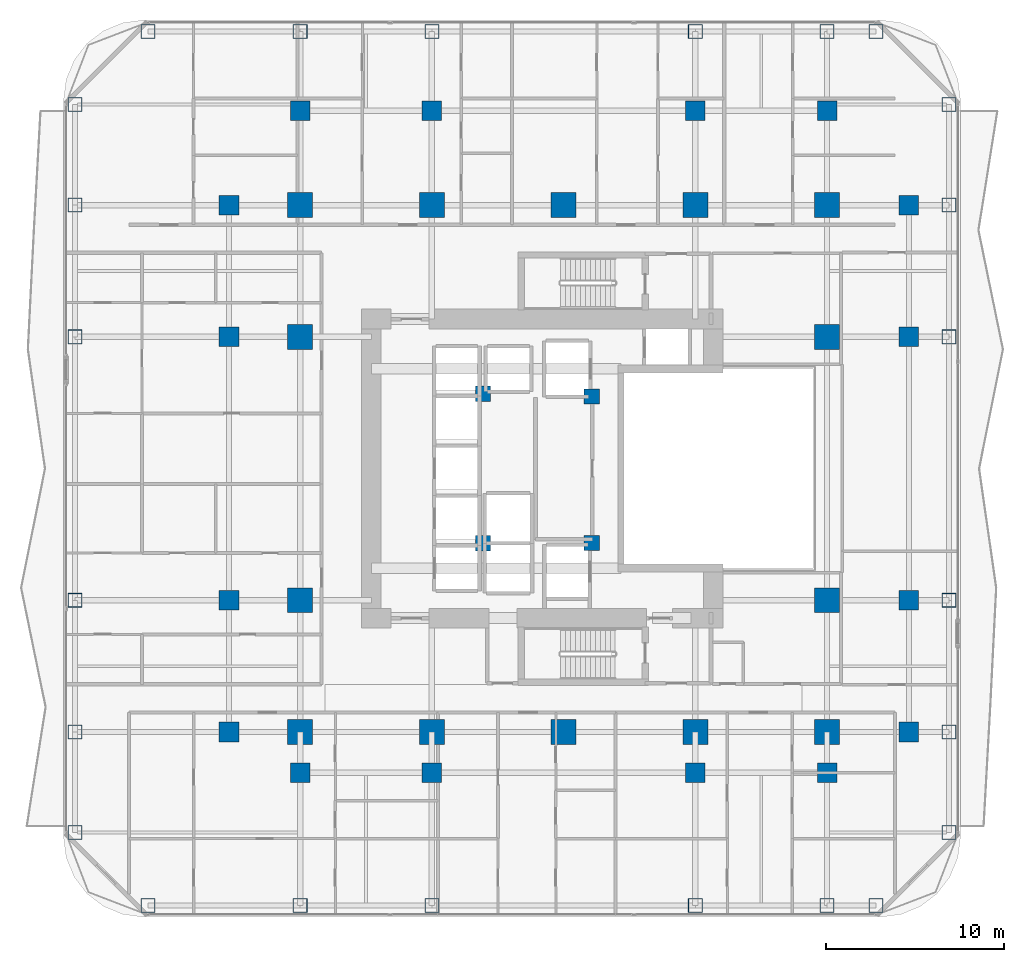
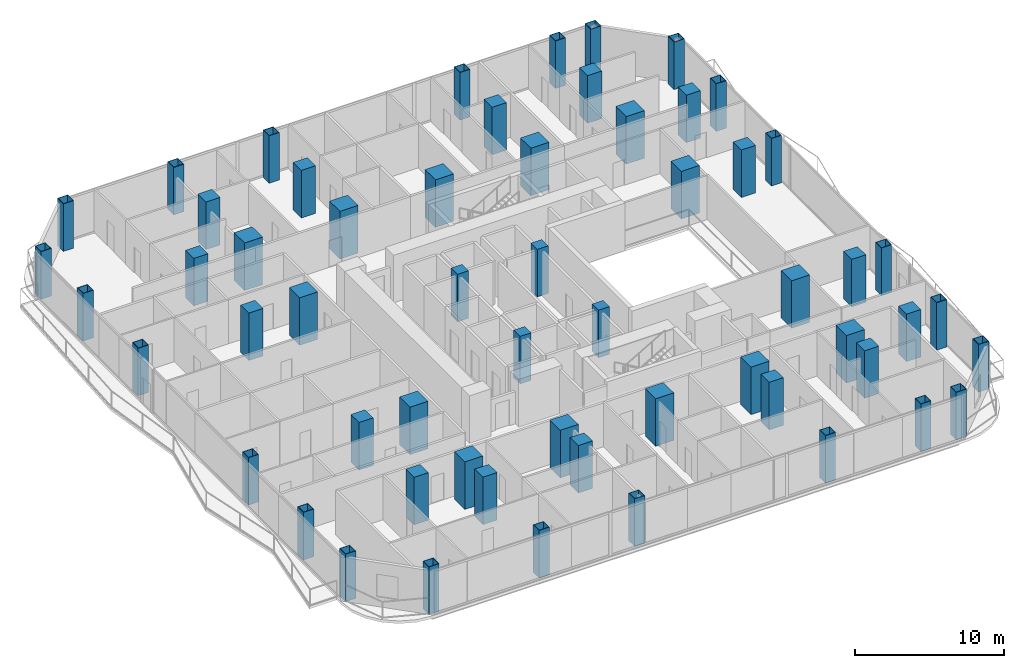
# One storey, part 1 of 29: 58 columns.
"""IFC4 building model written with IfcOpenShell, lengths in metres."""

from ifc_helpers import new_model, si_unit, direction, frame, origin, origin_2d, place, context, subcontext, project, spatial, rectangle, hollow_rectangle, extrude, material, material_profile, profile_set, type_object, element, save


model = new_model("IFC4")

# Units and contexts
model_context = context("Model", 3, precision=1e-05, world=origin(), true_north=direction((0.0, 1.0)))
body_context = subcontext(model_context, "Body", "Model", "MODEL_VIEW")
ifc_project = project(units=[si_unit("LENGTHUNIT", "METRE"), si_unit("AREAUNIT", "SQUARE_METRE"), si_unit("VOLUMEUNIT", "CUBIC_METRE"), si_unit("PLANEANGLEUNIT", "RADIAN"), si_unit("MASSUNIT", "GRAM", prefix="KILO")], contexts=[model_context])

# Site, building, storey
site_placement = place(None, origin())
site = spatial("IfcSite", under=ifc_project, at=site_placement, CompositionType="ELEMENT")
building_placement = place(site_placement, origin())
building = spatial("IfcBuilding", under=site, at=building_placement, Name="Khorvyn Point Tower", CompositionType="ELEMENT")
storey_placement = place(building_placement, frame((0.0, 0.0, 73.5)))
storey = spatial("IfcBuildingStorey", under=building, at=storey_placement, Name="L19", CompositionType="ELEMENT", Elevation=73.5)

# Columns
ifc_material_1 = material(Name="Concrete C40/50", Category="concrete")
ifc_material_profile_1 = material_profile(ifc_material_1, rectangle(XDim=0.85009765625, YDim=0.85009765625, at=origin_2d()))
ifc_profile_set_1 = profile_set([ifc_material_profile_1], Name="Concrete C40/50 RC850x850")
column_type_1 = type_object("IfcColumnType", Name="Concrete C40/50 Column RC850x850", PredefinedType="COLUMN", material=ifc_profile_set_1)
for number, where, z_axis, x_axis, name in (
    (1, (-4.52001953125, -4.199951171875, 0.0), (0.0, 0.0, 1.0), (1.0, 0.0, 0.0), "L19 Crown Core Spine Column 1"),
    (2, (1.580078125, -4.179931640625, 0.0), (0.0, 0.0, 1.0), (1.0, 0.0, 0.0), "L19 Crown Core Spine Column 2"),
    (3, (1.580078125, 4.050048828125, 0.0), (0.0, 0.0, 1.0), (1.0, 0.0, 0.0), "L19 Crown Core Spine Column 3"),
    (4, (-4.52001953125, 4.199951171875, 0.0), (0.0, 0.0, 1.0), (1.0, 0.0, 0.0), "L19 Crown Core Spine Column 4"),
):
    element("IfcColumn", number, at=place(storey_placement, frame(where, z_axis=z_axis, x_axis=x_axis)), inside=storey, type_object=column_type_1, Name=name, PredefinedType="COLUMN", context=body_context, shape_type="SweptSolid", body=[
        extrude(rectangle(XDim=0.85009765625, YDim=0.85009765625, at=origin_2d()), origin(), (0.0, 0.0, 1.0), 3.89990234375),
    ])
ifc_material_2 = material(Name="Concrete C45/55", Category="concrete")
ifc_material_profile_2 = material_profile(ifc_material_2, rectangle(XDim=1.10009765625, YDim=1.10009765625, at=origin_2d()))
ifc_profile_set_2 = profile_set([ifc_material_profile_2], Name="Concrete C45/55 RC1100x1100")
column_type_2 = type_object("IfcColumnType", Name="Concrete C45/55 Column RC1100x1100", PredefinedType="COLUMN", material=ifc_profile_set_2)
for number, where, z_axis, x_axis, name in (
    (5, (-18.800048828125, -14.800048828125, 0.0), (0.0, 0.0, 1.0), (1.0, 0.0, 0.0), "L19 Intermediate Column ICW--14"),
    (6, (-18.800048828125, -7.39990234375, 0.0), (0.0, 0.0, 1.0), (1.0, 0.0, 0.0), "L19 Intermediate Column ICW--7"),
    (7, (-18.800048828125, 7.39990234375, 0.0), (0.0, 0.0, 1.0), (1.0, 0.0, 0.0), "L19 Intermediate Column ICW-7"),
    (8, (-18.800048828125, 14.800048828125, 0.0), (0.0, 0.0, 1.0), (1.0, 0.0, 0.0), "L19 Intermediate Column ICW-14"),
    (9, (19.39990234375, -14.800048828125, 0.0), (0.0, 0.0, 1.0), (1.0, 0.0, 0.0), "L19 Intermediate Column ICE--14"),
    (10, (19.39990234375, -7.39990234375, 0.0), (0.0, 0.0, 1.0), (1.0, 0.0, 0.0), "L19 Intermediate Column ICE--7"),
    (11, (19.39990234375, 7.39990234375, 0.0), (0.0, 0.0, 1.0), (1.0, 0.0, 0.0), "L19 Intermediate Column ICE-7"),
    (12, (19.39990234375, 14.800048828125, 0.0), (0.0, 0.0, 1.0), (1.0, 0.0, 0.0), "L19 Intermediate Column ICE-14"),
    (13, (-14.800048828125, -17.10009765625, 0.0), (0.0, 0.0, 1.0), (1.0, 0.0, 0.0), "L19 Intermediate Column ICS--14"),
    (14, (-7.39990234375, -17.10009765625, 0.0), (0.0, 0.0, 1.0), (1.0, 0.0, 0.0), "L19 Intermediate Column ICS--7"),
    (15, (7.39990234375, -17.10009765625, 0.0), (0.0, 0.0, 1.0), (1.0, 0.0, 0.0), "L19 Intermediate Column ICS-7"),
    (16, (14.800048828125, -17.10009765625, 0.0), (0.0, 0.0, 1.0), (1.0, 0.0, 0.0), "L19 Intermediate Column ICS-14"),
    (17, (-14.800048828125, 20.10009765625, 0.0), (0.0, 0.0, 1.0), (1.0, 0.0, 0.0), "L19 Intermediate Column ICN--14"),
    (18, (-7.39990234375, 20.10009765625, 0.0), (0.0, 0.0, 1.0), (1.0, 0.0, 0.0), "L19 Intermediate Column ICN--7"),
    (19, (7.39990234375, 20.10009765625, 0.0), (0.0, 0.0, 1.0), (1.0, 0.0, 0.0), "L19 Intermediate Column ICN-7"),
    (20, (14.800048828125, 20.10009765625, 0.0), (0.0, 0.0, 1.0), (1.0, 0.0, 0.0), "L19 Intermediate Column ICN-14"),
):
    element("IfcColumn", number, at=place(storey_placement, frame(where, z_axis=z_axis, x_axis=x_axis)), inside=storey, type_object=column_type_2, Name=name, PredefinedType="COLUMN", context=body_context, shape_type="SweptSolid", body=[
        extrude(rectangle(XDim=1.10009765625, YDim=1.10009765625, at=origin_2d()), origin(), (0.0, 0.0, 1.0), 3.89990234375),
    ])
ifc_material_3 = material(Name="Concrete C50/60", Category="concrete")
ifc_material_profile_3 = material_profile(ifc_material_3, rectangle(XDim=1.39990234375, YDim=1.39990234375, at=origin_2d()))
ifc_profile_set_3 = profile_set([ifc_material_profile_3], Name="Concrete C50/60 RC1400x1400")
column_type_3 = type_object("IfcColumnType", Name="Concrete C50/60 Column RC1400x1400", PredefinedType="COLUMN", material=ifc_profile_set_3)
for number, where, z_axis, x_axis, name in (
    (21, (-14.800048828125, -14.800048828125, 0.0), (0.0, 0.0, 1.0), (1.0, 0.0, 0.0), "L19 Mega-Column MC-01"),
    (22, (-7.39990234375, -14.800048828125, 0.0), (0.0, 0.0, 1.0), (1.0, 0.0, 0.0), "L19 Mega-Column MC-02"),
    (23, (0.0, -14.800048828125, 0.0), (0.0, 0.0, 1.0), (1.0, 0.0, 0.0), "L19 Mega-Column MC-03"),
    (24, (7.39990234375, -14.800048828125, 0.0), (0.0, 0.0, 1.0), (1.0, 0.0, 0.0), "L19 Mega-Column MC-04"),
    (25, (14.800048828125, -14.800048828125, 0.0), (0.0, 0.0, 1.0), (1.0, 0.0, 0.0), "L19 Mega-Column MC-05"),
    (26, (-14.800048828125, 14.800048828125, 0.0), (0.0, 0.0, 1.0), (1.0, 0.0, 0.0), "L19 Mega-Column MC-06"),
    (27, (-7.39990234375, 14.800048828125, 0.0), (0.0, 0.0, 1.0), (1.0, 0.0, 0.0), "L19 Mega-Column MC-07"),
    (28, (0.0, 14.800048828125, 0.0), (0.0, 0.0, 1.0), (1.0, 0.0, 0.0), "L19 Mega-Column MC-08"),
    (29, (7.39990234375, 14.800048828125, 0.0), (0.0, 0.0, 1.0), (1.0, 0.0, 0.0), "L19 Mega-Column MC-09"),
    (30, (14.800048828125, 14.800048828125, 0.0), (0.0, 0.0, 1.0), (1.0, 0.0, 0.0), "L19 Mega-Column MC-10"),
    (31, (-14.800048828125, -7.39990234375, 0.0), (0.0, 0.0, 1.0), (1.0, 0.0, 0.0), "L19 Mega-Column MC-11"),
    (32, (-14.800048828125, 7.39990234375, 0.0), (0.0, 0.0, 1.0), (1.0, 0.0, 0.0), "L19 Mega-Column MC-12"),
    (33, (14.800048828125, -7.39990234375, 0.0), (0.0, 0.0, 1.0), (1.0, 0.0, 0.0), "L19 Mega-Column MC-13"),
    (34, (14.800048828125, 7.39990234375, 0.0), (0.0, 0.0, 1.0), (1.0, 0.0, 0.0), "L19 Mega-Column MC-14"),
):
    element("IfcColumn", number, at=place(storey_placement, frame(where, z_axis=z_axis, x_axis=x_axis)), inside=storey, type_object=column_type_3, Name=name, PredefinedType="COLUMN", context=body_context, shape_type="SweptSolid", body=[
        extrude(rectangle(XDim=1.39990234375, YDim=1.39990234375, at=origin_2d()), origin(), (0.0, 0.0, 1.0), 3.89990234375),
    ])
ifc_material_4 = material(Name="Steel S450", Category="steel")
ifc_material_profile_4 = material_profile(ifc_material_4, hollow_rectangle(XDim=0.800048828125, YDim=0.800048828125, WallThickness=0.035888671875, at=origin_2d()))
ifc_profile_set_4 = profile_set([ifc_material_profile_4], Name="Steel S450 BOX800x800x36")
column_type_4 = type_object("IfcColumnType", Name="Steel S450 Structural Column BOX800x800x36", PredefinedType="COLUMN", material=ifc_profile_set_4)
for number, where, z_axis, x_axis, name in (
    (35, (-23.35009765625, -24.550048828125, 0.0), (0.0, 0.0, 1.0), (1.0, 0.0, 0.0), "L19 Perimeter Tube Column TC-01"),
    (36, (17.550048828125, -24.550048828125, 0.0), (0.0, 0.0, 1.0), (1.0, 0.0, 0.0), "L19 Perimeter Tube Column TC-02"),
    (37, (-23.35009765625, 24.550048828125, 0.0), (0.0, 0.0, 1.0), (1.0, 0.0, 0.0), "L19 Perimeter Tube Column TC-03"),
    (38, (17.550048828125, 24.550048828125, 0.0), (0.0, 0.0, 1.0), (1.0, 0.0, 0.0), "L19 Perimeter Tube Column TC-04"),
    (39, (-27.449951171875, -20.449951171875, 0.0), (0.0, 0.0, 1.0), (1.0, 0.0, 0.0), "L19 Perimeter Tube Column TC-05"),
    (40, (-27.449951171875, 20.449951171875, 0.0), (0.0, 0.0, 1.0), (1.0, 0.0, 0.0), "L19 Perimeter Tube Column TC-06"),
    (41, (21.64990234375, -20.449951171875, 0.0), (0.0, 0.0, 1.0), (1.0, 0.0, 0.0), "L19 Perimeter Tube Column TC-07"),
    (42, (21.64990234375, 20.449951171875, 0.0), (0.0, 0.0, 1.0), (1.0, 0.0, 0.0), "L19 Perimeter Tube Column TC-08"),
    (43, (-14.800048828125, -24.550048828125, 0.0), (0.0, 0.0, 1.0), (1.0, 0.0, 0.0), "L19 Perimeter Tube Column TC-09"),
    (44, (-14.800048828125, 24.550048828125, 0.0), (0.0, 0.0, 1.0), (1.0, 0.0, 0.0), "L19 Perimeter Tube Column TC-10"),
    (45, (-7.39990234375, -24.550048828125, 0.0), (0.0, 0.0, 1.0), (1.0, 0.0, 0.0), "L19 Perimeter Tube Column TC-11"),
    (46, (-7.39990234375, 24.550048828125, 0.0), (0.0, 0.0, 1.0), (1.0, 0.0, 0.0), "L19 Perimeter Tube Column TC-12"),
    (47, (7.39990234375, -24.550048828125, 0.0), (0.0, 0.0, 1.0), (1.0, 0.0, 0.0), "L19 Perimeter Tube Column TC-13"),
    (48, (7.39990234375, 24.550048828125, 0.0), (0.0, 0.0, 1.0), (1.0, 0.0, 0.0), "L19 Perimeter Tube Column TC-14"),
    (49, (14.800048828125, -24.550048828125, 0.0), (0.0, 0.0, 1.0), (1.0, 0.0, 0.0), "L19 Perimeter Tube Column TC-15"),
    (50, (14.800048828125, 24.550048828125, 0.0), (0.0, 0.0, 1.0), (1.0, 0.0, 0.0), "L19 Perimeter Tube Column TC-16"),
    (51, (-27.449951171875, -14.800048828125, 0.0), (0.0, 0.0, 1.0), (1.0, 0.0, 0.0), "L19 Perimeter Tube Column TC-17"),
    (52, (21.64990234375, -14.800048828125, 0.0), (0.0, 0.0, 1.0), (1.0, 0.0, 0.0), "L19 Perimeter Tube Column TC-18"),
    (53, (-27.449951171875, -7.39990234375, 0.0), (0.0, 0.0, 1.0), (1.0, 0.0, 0.0), "L19 Perimeter Tube Column TC-19"),
    (54, (21.64990234375, -7.39990234375, 0.0), (0.0, 0.0, 1.0), (1.0, 0.0, 0.0), "L19 Perimeter Tube Column TC-20"),
    (55, (-27.449951171875, 7.39990234375, 0.0), (0.0, 0.0, 1.0), (1.0, 0.0, 0.0), "L19 Perimeter Tube Column TC-21"),
    (56, (21.64990234375, 7.39990234375, 0.0), (0.0, 0.0, 1.0), (1.0, 0.0, 0.0), "L19 Perimeter Tube Column TC-22"),
    (57, (-27.449951171875, 14.800048828125, 0.0), (0.0, 0.0, 1.0), (1.0, 0.0, 0.0), "L19 Perimeter Tube Column TC-23"),
    (58, (21.64990234375, 14.800048828125, 0.0), (0.0, 0.0, 1.0), (1.0, 0.0, 0.0), "L19 Perimeter Tube Column TC-24"),
):
    element("IfcColumn", number, at=place(storey_placement, frame(where, z_axis=z_axis, x_axis=x_axis)), inside=storey, type_object=column_type_4, Name=name, PredefinedType="COLUMN", context=body_context, shape_type="SweptSolid", body=[
        extrude(hollow_rectangle(XDim=0.800048828125, YDim=0.800048828125, WallThickness=0.035888671875, at=origin_2d()), origin(), (0.0, 0.0, 1.0), 3.89990234375),
    ])

save(model, "model.ifc")
